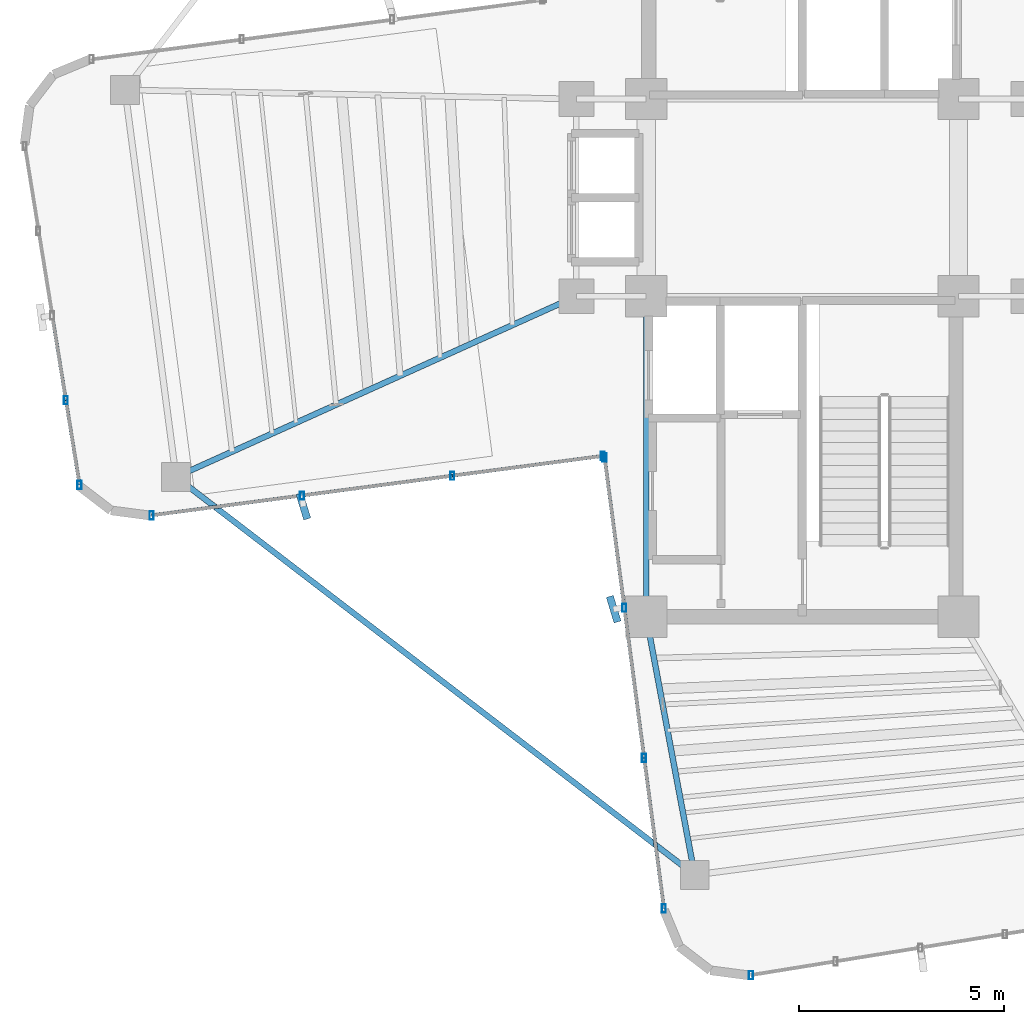
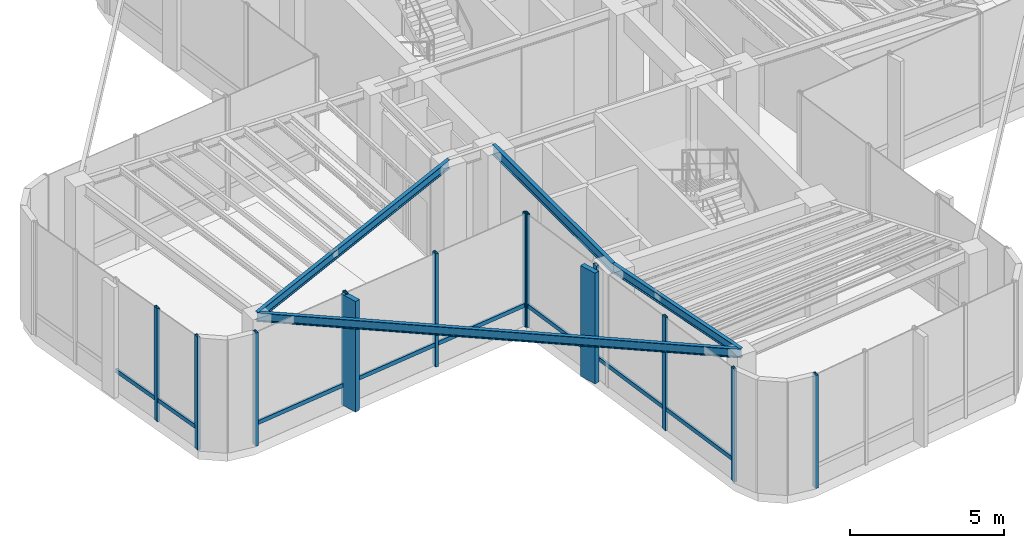
# One storey, part 2 of 16: 21 members, 4 beams, 4 elements without a shape of their own.
"""IFC4 building model written with IfcOpenShell, lengths in metres."""

from ifc_helpers import new_model, si_unit, direction, frame, origin, origin_2d, place, context, subcontext, project, spatial, rectangle, hollow_rectangle, i_section, extrude, source, transform, mapped, material, material_profile, profile_set, type_object, element, aggregate, save


model = new_model("IFC4")

# Units and contexts
model_context = context("Model", 3, precision=1e-05, world=origin(), true_north=direction((0.0, 1.0)))
body_context = subcontext(model_context, "Body", "Model", "MODEL_VIEW")
ifc_project = project(units=[si_unit("LENGTHUNIT", "METRE"), si_unit("AREAUNIT", "SQUARE_METRE"), si_unit("VOLUMEUNIT", "CUBIC_METRE"), si_unit("PLANEANGLEUNIT", "RADIAN"), si_unit("MASSUNIT", "GRAM", prefix="KILO")], contexts=[model_context])

# Site, building, storey
site_placement = place(None, origin())
site = spatial("IfcSite", under=ifc_project, at=site_placement, CompositionType="ELEMENT")
building_placement = place(site_placement, origin())
building = spatial("IfcBuilding", under=site, at=building_placement, Name="Sahyath Konkavel Grand Hotel", CompositionType="ELEMENT")
storey_placement = place(building_placement, frame((0.0, 0.0, 280.300048828125)))
storey = spatial("IfcBuildingStorey", under=building, at=storey_placement, Name="L78", CompositionType="ELEMENT", Elevation=280.300048828125)

# Beams
ifc_material_1 = material(Name="Steel E350", Category="steel")
ifc_material_profile_1 = material_profile(ifc_material_1, i_section(OverallWidth=0.139892578125, OverallDepth=0.39990234375, WebThickness=0.0087890625, FlangeThickness=0.01611328125, FilletRadius=0.013916015625, at=origin_2d()), Name="ISMB 400")
ifc_profile_set_1 = profile_set([ifc_material_profile_1], Name="Steel E350")
beam_type_1 = type_object("IfcBeamType", Name="BM-ISMB400", PredefinedType="BEAM", material=ifc_profile_set_1)
shared_shape_1 = source(origin(), body_context, "Body", "SweptSolid", [
    extrude(i_section(OverallWidth=0.139892578125, OverallDepth=0.39990234375, WebThickness=0.0087890625, FlangeThickness=0.01611328125, FilletRadius=0.013916015625, at=origin_2d()), origin(), (0.0, 0.0, 1.0), 7.800048828125),
])
beam_1_placement = place(storey_placement, frame((-3.800048828125, -10.199951171875, 4.300048828125), z_axis=(0.0, 1.0, 0.0), x_axis=(-1.0, 0.0, 0.0)))
element("IfcBeam", 1, at=beam_1_placement, inside=storey, type_object=beam_type_1, Name="str:bm:L78:SC-W", PredefinedType="BEAM", context=body_context, shape_type="MappedRepresentation", body=[
    mapped(shared_shape_1, transform((0.0, 0.0, 0.0), scale=1.0)),
])
ifc_material_profile_2 = material_profile(ifc_material_1, i_section(OverallWidth=0.139892578125, OverallDepth=0.35009765625, WebThickness=0.008056640625, FlangeThickness=0.01416015625, FilletRadius=0.013916015625, at=origin_2d()), Name="ISMB 350")
ifc_profile_set_2 = profile_set([ifc_material_profile_2], Name="Steel E350")
beam_type_2 = type_object("IfcBeamType", Name="BM-ISMB350", PredefinedType="BEAM", material=ifc_profile_set_2)
shared_shape_2 = source(origin(), body_context, "Body", "SweptSolid", [
    extrude(i_section(OverallWidth=0.139892578125, OverallDepth=0.35009765625, WebThickness=0.008056640625, FlangeThickness=0.01416015625, FilletRadius=0.013916015625, at=origin_2d()), origin(), (0.0, 0.0, 1.0), 10.689697265625),
])
beam_2_placement = place(storey_placement, frame((-5.5, -2.39990234375, 4.324951171875), z_axis=(-0.911447410295, -0.411416599405, 0.0), x_axis=(0.411416599405, -0.911447410295, 0.0)))
element("IfcBeam", 2, at=beam_2_placement, inside=storey, type_object=beam_type_2, Name="L78 Cruciform Radial Girder WB", PredefinedType="BEAM", context=body_context, shape_type="MappedRepresentation", body=[
    mapped(shared_shape_2, transform((0.0, 0.0, 0.0), scale=1.0)),
])
shared_shape_3 = source(origin(), body_context, "Body", "SweptSolid", [
    extrude(i_section(OverallWidth=0.139892578125, OverallDepth=0.35009765625, WebThickness=0.008056640625, FlangeThickness=0.01416015625, FilletRadius=0.013916015625, at=origin_2d()), origin(), (0.0, 0.0, 1.0), 6.392822265625),
])
beam_3_placement = place(storey_placement, frame((-3.800048828125, -10.199951171875, 4.324951171875), z_axis=(0.184454547999, -0.982841044993, 0.0), x_axis=(0.982841044993, 0.184454547999, 0.0)))
element("IfcBeam", 3, at=beam_3_placement, inside=storey, type_object=beam_type_2, Name="L78 Cruciform Radial Girder SA", PredefinedType="BEAM", context=body_context, shape_type="MappedRepresentation", body=[
    mapped(shared_shape_3, transform((0.0, 0.0, 0.0), scale=1.0)),
])
shared_shape_4 = source(origin(), body_context, "Body", "SweptSolid", [
    extrude(i_section(OverallWidth=0.139892578125, OverallDepth=0.35009765625, WebThickness=0.008056640625, FlangeThickness=0.01416015625, FilletRadius=0.013916015625, at=origin_2d()), origin(), (0.0, 0.0, 1.0), 15.909912109375),
])
beam_4_placement = place(storey_placement, frame((-15.2431640625, -6.7978515625, 4.324951171875), z_axis=(0.79335758392, -0.608755898564, 0.0), x_axis=(0.608755898564, 0.79335758392, 0.0)))
element("IfcBeam", 4, at=beam_4_placement, inside=storey, type_object=beam_type_2, Name="L78 Re-Entrant Tie Beam SW", PredefinedType="BEAM", context=body_context, shape_type="MappedRepresentation", body=[
    mapped(shared_shape_4, transform((0.0, 0.0, 0.0), scale=1.0)),
])

# Curtain wall, members
ifc_material_2 = material(Name="Anodised Bronze Aluminium & Low-E Glazing", Category="aluminium")
curtain_wall_type = type_object("IfcCurtainWallType", Name="CW-CROWN-TMD", PredefinedType="NOTDEFINED", material=ifc_material_2)
curtain_wall_1_placement = place(storey_placement, origin())
curtain_wall_1 = element("IfcCurtainWall", 5, at=curtain_wall_1_placement, inside=storey, type_object=curtain_wall_type, Name="L78 Unitised Curtain Wall F20", PredefinedType="NOTDEFINED")
ifc_material_3 = material(Name="Anodised Bronze Aluminium", Category="aluminium")
ifc_material_profile_3 = material_profile(ifc_material_3, hollow_rectangle(XDim=0.080078125, YDim=0.159912109375, WallThickness=0.006103515625, at=origin_2d()), Name="RHS 160x80x6")
ifc_profile_set_3 = profile_set([ifc_material_profile_3], Name="Anodised Bronze Aluminium")
member_type_1 = type_object("IfcMemberType", Name="CW-TRN-160", PredefinedType="USERDEFINED", material=ifc_profile_set_3)
shared_shape_5 = source(origin(), body_context, "Body", "SweptSolid", [
    extrude(hollow_rectangle(XDim=0.080078125, YDim=0.159912109375, WallThickness=0.006103515625, at=origin_2d()), origin(), (0.0, 0.0, 1.0), 2.08740234375),
])
member_1_placement = place(storey_placement, frame((-17.92431640625, -4.930419921875, 0.849853515625), z_axis=(0.159541334591, -0.98719124923, 0.0), x_axis=(0.98719124923, 0.159541334591, 0.0)))
member_1 = element("IfcMember", 6, at=member_1_placement, type_object=member_type_1, Name="L78 Curtain Wall Transom F20-3-spandrel", ObjectType="TRANSOM", PredefinedType="USERDEFINED", context=body_context, shape_type="MappedRepresentation", body=[
    mapped(shared_shape_5, transform((0.0, 0.0, 0.0), scale=1.0)),
])
shared_shape_6 = source(origin(), body_context, "Body", "SweptSolid", [
    extrude(hollow_rectangle(XDim=0.080078125, YDim=0.159912109375, WallThickness=0.006103515625, at=origin_2d()), origin(), (0.0, 0.0, 1.0), 2.087158203125),
])
member_2_placement = place(storey_placement, frame((-18.257568359375, -2.8701171875, 0.849853515625), z_axis=(0.159673756436, -0.98716983924, 0.0), x_axis=(0.98716983924, 0.159673756436, 0.0)))
member_2 = element("IfcMember", 7, at=member_2_placement, type_object=member_type_1, Name="L78 Curtain Wall Transom F20-2-spandrel", ObjectType="TRANSOM", PredefinedType="USERDEFINED", context=body_context, shape_type="MappedRepresentation", body=[
    mapped(shared_shape_6, transform((0.0, 0.0, 0.0), scale=1.0)),
])
ifc_material_profile_4 = material_profile(ifc_material_3, hollow_rectangle(XDim=0.10009765625, YDim=0.199951171875, WallThickness=0.008056640625, at=origin_2d()), Name="RHS 200x100x8")
ifc_profile_set_4 = profile_set([ifc_material_profile_4], Name="Anodised Bronze Aluminium")
member_type_2 = type_object("IfcMemberType", Name="CW-MUL-200", PredefinedType="MULLION", material=ifc_profile_set_4)
shared_shape_7 = source(origin(), body_context, "Body", "SweptSolid", [
    extrude(hollow_rectangle(XDim=0.10009765625, YDim=0.199951171875, WallThickness=0.008056640625, at=origin_2d()), origin(), (0.0, 0.0, 1.0), 4.5),
])
member_3_placement = place(storey_placement, frame((-17.92431640625, -4.930419921875, 0.0), z_axis=(0.0, 0.0, 1.0), x_axis=(1.0, 0.0, 0.0)))
member_3 = element("IfcMember", 8, at=member_3_placement, type_object=member_type_2, Name="L78 Curtain Wall Mullion F20-3", PredefinedType="MULLION", context=body_context, shape_type="MappedRepresentation", body=[
    mapped(shared_shape_7, transform((0.0, 0.0, 0.0), scale=1.0)),
])
member_4_placement = place(storey_placement, frame((-17.59130859375, -6.990966796875, 0.0), z_axis=(0.0, 0.0, 1.0), x_axis=(1.0, 0.0, 0.0)))
member_4 = element("IfcMember", 9, at=member_4_placement, type_object=member_type_2, Name="L78 Curtain Wall Mullion F20-4", PredefinedType="MULLION", context=body_context, shape_type="MappedRepresentation", body=[
    mapped(shared_shape_7, transform((0.0, 0.0, 0.0), scale=1.0)),
])
aggregate(curtain_wall_1, [member_3, member_4, member_2, member_1])

curtain_wall_2_placement = place(storey_placement, origin())
curtain_wall_2 = element("IfcCurtainWall", 10, at=curtain_wall_2_placement, inside=storey, type_object=curtain_wall_type, Name="L78 Unitised Curtain Wall F23", PredefinedType="NOTDEFINED")
member_5_placement = place(storey_placement, frame((-15.836181640625, -7.733154296875, 0.0), z_axis=(0.0, 0.0, 1.0), x_axis=(1.0, 0.0, 0.0)))
member_5 = element("IfcMember", 11, at=member_5_placement, type_object=member_type_2, Name="L78 Curtain Wall Mullion F23-0", PredefinedType="MULLION", context=body_context, shape_type="MappedRepresentation", body=[
    mapped(shared_shape_7, transform((0.0, 0.0, 0.0), scale=1.0)),
])
member_6_placement = place(storey_placement, frame((-12.177734375, -7.25146484375, 0.0), z_axis=(0.0, 0.0, 1.0), x_axis=(1.0, 0.0, 0.0)))
member_6 = element("IfcMember", 12, at=member_6_placement, type_object=member_type_2, Name="L78 Curtain Wall Mullion F23-1", PredefinedType="MULLION", context=body_context, shape_type="MappedRepresentation", body=[
    mapped(shared_shape_7, transform((0.0, 0.0, 0.0), scale=1.0)),
])
member_7_placement = place(storey_placement, frame((-8.519287109375, -6.77001953125, 0.0), z_axis=(0.0, 0.0, 1.0), x_axis=(1.0, 0.0, 0.0)))
member_7 = element("IfcMember", 13, at=member_7_placement, type_object=member_type_2, Name="L78 Curtain Wall Mullion F23-2", PredefinedType="MULLION", context=body_context, shape_type="MappedRepresentation", body=[
    mapped(shared_shape_7, transform((0.0, 0.0, 0.0), scale=1.0)),
])
member_8_placement = place(storey_placement, frame((-4.86083984375, -6.2880859375, 0.0), z_axis=(0.0, 0.0, 1.0), x_axis=(1.0, 0.0, 0.0)))
member_8 = element("IfcMember", 14, at=member_8_placement, type_object=member_type_2, Name="L78 Curtain Wall Mullion F23-3", PredefinedType="MULLION", context=body_context, shape_type="MappedRepresentation", body=[
    mapped(shared_shape_7, transform((0.0, 0.0, 0.0), scale=1.0)),
])

curtain_wall_3_placement = place(storey_placement, origin())
curtain_wall_3 = element("IfcCurtainWall", 15, at=curtain_wall_3_placement, inside=storey, type_object=curtain_wall_type, Name="L78 Unitised Curtain Wall F24", PredefinedType="NOTDEFINED")
member_9_placement = place(storey_placement, frame((-4.81591796875, -6.32275390625, 0.0), z_axis=(0.0, 0.0, 1.0), x_axis=(1.0, 0.0, 0.0)))
member_9 = element("IfcMember", 16, at=member_9_placement, type_object=member_type_2, Name="L78 Curtain Wall Mullion F24-0", PredefinedType="MULLION", context=body_context, shape_type="MappedRepresentation", body=[
    mapped(shared_shape_7, transform((0.0, 0.0, 0.0), scale=1.0)),
])
member_10_placement = place(storey_placement, frame((-4.334228515625, -9.981201171875, 0.0), z_axis=(0.0, 0.0, 1.0), x_axis=(1.0, 0.0, 0.0)))
member_10 = element("IfcMember", 17, at=member_10_placement, type_object=member_type_2, Name="L78 Curtain Wall Mullion F24-1", PredefinedType="MULLION", context=body_context, shape_type="MappedRepresentation", body=[
    mapped(shared_shape_7, transform((0.0, 0.0, 0.0), scale=1.0)),
])
member_11_placement = place(storey_placement, frame((-3.8525390625, -13.639404296875, 0.0), z_axis=(0.0, 0.0, 1.0), x_axis=(1.0, 0.0, 0.0)))
member_11 = element("IfcMember", 18, at=member_11_placement, type_object=member_type_2, Name="L78 Curtain Wall Mullion F24-2", PredefinedType="MULLION", context=body_context, shape_type="MappedRepresentation", body=[
    mapped(shared_shape_7, transform((0.0, 0.0, 0.0), scale=1.0)),
])
member_12_placement = place(storey_placement, frame((-3.37109375, -17.2978515625, 0.0), z_axis=(0.0, 0.0, 1.0), x_axis=(1.0, 0.0, 0.0)))
member_12 = element("IfcMember", 19, at=member_12_placement, type_object=member_type_2, Name="L78 Curtain Wall Mullion F24-3", PredefinedType="MULLION", context=body_context, shape_type="MappedRepresentation", body=[
    mapped(shared_shape_7, transform((0.0, 0.0, 0.0), scale=1.0)),
])

# Curtain wall, member
curtain_wall_4_placement = place(storey_placement, origin())
curtain_wall_4 = element("IfcCurtainWall", 20, at=curtain_wall_4_placement, inside=storey, type_object=curtain_wall_type, Name="L78 Unitised Curtain Wall F28", PredefinedType="NOTDEFINED")
member_13_placement = place(storey_placement, frame((-1.25048828125, -18.923828125, 0.0), z_axis=(0.0, 0.0, 1.0), x_axis=(1.0, 0.0, 0.0)))
member_13 = element("IfcMember", 21, at=member_13_placement, type_object=member_type_2, Name="L78 Curtain Wall Mullion F28-0", PredefinedType="MULLION", context=body_context, shape_type="MappedRepresentation", body=[
    mapped(shared_shape_7, transform((0.0, 0.0, 0.0), scale=1.0)),
])
aggregate(curtain_wall_4, [member_13])

# Member
ifc_material_4 = material(Name="Warm Buff Sandstone Cladding on Concrete C50/60", Category="masonry")
ifc_material_profile_5 = material_profile(ifc_material_4, rectangle(XDim=0.179931640625, YDim=0.64990234375, at=origin_2d()), Name="FIN 180x650")
ifc_profile_set_5 = profile_set([ifc_material_profile_5], Name="Warm Buff Sandstone Cladding on Concrete C50/60")
member_type_3 = type_object("IfcMemberType", Name="FIN-SANDSTONE-650", PredefinedType="MULLION", material=ifc_profile_set_5)
shared_shape_8 = source(origin(), body_context, "Body", "SweptSolid", [
    extrude(rectangle(XDim=0.179931640625, YDim=0.64990234375, at=origin_2d()), origin(), (0.0, 0.0, 1.0), 4.39990234375),
])
member_14_placement = place(storey_placement, frame((-12.143798828125, -7.50927734375, 0.050048828125), z_axis=(0.0, 0.0, 1.0), x_axis=(0.957117481996, 0.289700061544, 0.0)))
member_14 = element("IfcMember", 22, at=member_14_placement, type_object=member_type_3, Name="L78 Sandstone Vertical Solar Fin FIN F23-1", PredefinedType="MULLION", context=body_context, shape_type="MappedRepresentation", body=[
    mapped(shared_shape_8, transform((0.0, 0.0, 0.0), scale=1.0)),
])

member_15_placement = place(storey_placement, frame((-4.592041015625, -10.014892578125, 0.050048828125), z_axis=(0.0, 0.0, 1.0), x_axis=(0.957117481996, 0.289700061544, 0.0)))
member_15 = element("IfcMember", 23, at=member_15_placement, type_object=member_type_3, Name="L78 Sandstone Vertical Solar Fin FIN F24-1", PredefinedType="MULLION", context=body_context, shape_type="MappedRepresentation", body=[
    mapped(shared_shape_8, transform((0.0, 0.0, 0.0), scale=1.0)),
])

shared_shape_9 = source(origin(), body_context, "Body", "SweptSolid", [
    extrude(hollow_rectangle(XDim=0.080078125, YDim=0.159912109375, WallThickness=0.006103515625, at=origin_2d()), origin(), (0.0, 0.0, 1.0), 3.68994140625),
])
member_16_placement = place(storey_placement, frame((-15.836181640625, -7.733154296875, 0.849853515625), z_axis=(0.991443257426, 0.130538374835, 0.0), x_axis=(-0.130538374835, 0.991443257426, 0.0)))
member_16 = element("IfcMember", 24, at=member_16_placement, type_object=member_type_1, Name="L78 Curtain Wall Transom F23-0-spandrel", ObjectType="TRANSOM", PredefinedType="USERDEFINED", context=body_context, shape_type="MappedRepresentation", body=[
    mapped(shared_shape_9, transform((0.0, 0.0, 0.0), scale=1.0)),
])

member_17_placement = place(storey_placement, frame((-12.177734375, -7.25146484375, 0.849853515625), z_axis=(0.991451818194, 0.130473339038, 0.0), x_axis=(-0.130473339038, 0.991451818194, 0.0)))
member_17 = element("IfcMember", 25, at=member_17_placement, type_object=member_type_1, Name="L78 Curtain Wall Transom F23-1-spandrel", ObjectType="TRANSOM", PredefinedType="USERDEFINED", context=body_context, shape_type="MappedRepresentation", body=[
    mapped(shared_shape_9, transform((0.0, 0.0, 0.0), scale=1.0)),
])

member_18_placement = place(storey_placement, frame((-8.519287109375, -6.77001953125, 0.849853515625), z_axis=(0.99143469254, 0.130603408947, 0.0), x_axis=(-0.130603408947, 0.99143469254, 0.0)))
member_18 = element("IfcMember", 26, at=member_18_placement, type_object=member_type_1, Name="L78 Curtain Wall Transom F23-2-spandrel", ObjectType="TRANSOM", PredefinedType="USERDEFINED", context=body_context, shape_type="MappedRepresentation", body=[
    mapped(shared_shape_9, transform((0.0, 0.0, 0.0), scale=1.0)),
])

aggregate(curtain_wall_2, [member_5, member_6, member_14, member_7, member_8, member_16, member_17, member_18])

member_19_placement = place(storey_placement, frame((-4.81591796875, -6.32275390625, 0.849853515625), z_axis=(0.130538374835, -0.991443257426, 0.0), x_axis=(0.991443257426, 0.130538374835, 0.0)))
member_19 = element("IfcMember", 27, at=member_19_placement, type_object=member_type_1, Name="L78 Curtain Wall Transom F24-0-spandrel", ObjectType="TRANSOM", PredefinedType="USERDEFINED", context=body_context, shape_type="MappedRepresentation", body=[
    mapped(shared_shape_9, transform((0.0, 0.0, 0.0), scale=1.0)),
])

member_20_placement = place(storey_placement, frame((-3.8525390625, -13.639404296875, 0.849853515625), z_axis=(0.130473339038, -0.991451818194, 0.0), x_axis=(0.991451818194, 0.130473339038, 0.0)))
member_20 = element("IfcMember", 28, at=member_20_placement, type_object=member_type_1, Name="L78 Curtain Wall Transom F24-2-spandrel", ObjectType="TRANSOM", PredefinedType="USERDEFINED", context=body_context, shape_type="MappedRepresentation", body=[
    mapped(shared_shape_9, transform((0.0, 0.0, 0.0), scale=1.0)),
])

shared_shape_10 = source(origin(), body_context, "Body", "SweptSolid", [
    extrude(hollow_rectangle(XDim=0.080078125, YDim=0.159912109375, WallThickness=0.006103515625, at=origin_2d()), origin(), (0.0, 0.0, 1.0), 3.689697265625),
])
member_21_placement = place(storey_placement, frame((-4.334228515625, -9.981201171875, 0.849853515625), z_axis=(0.130546938219, -0.99144212989, 0.0), x_axis=(0.99144212989, 0.130546938219, 0.0)))
member_21 = element("IfcMember", 29, at=member_21_placement, type_object=member_type_1, Name="L78 Curtain Wall Transom F24-1-spandrel", ObjectType="TRANSOM", PredefinedType="USERDEFINED", context=body_context, shape_type="MappedRepresentation", body=[
    mapped(shared_shape_10, transform((0.0, 0.0, 0.0), scale=1.0)),
])

aggregate(curtain_wall_3, [member_9, member_10, member_15, member_11, member_12, member_19, member_21, member_20])

save(model, "model.ifc")
